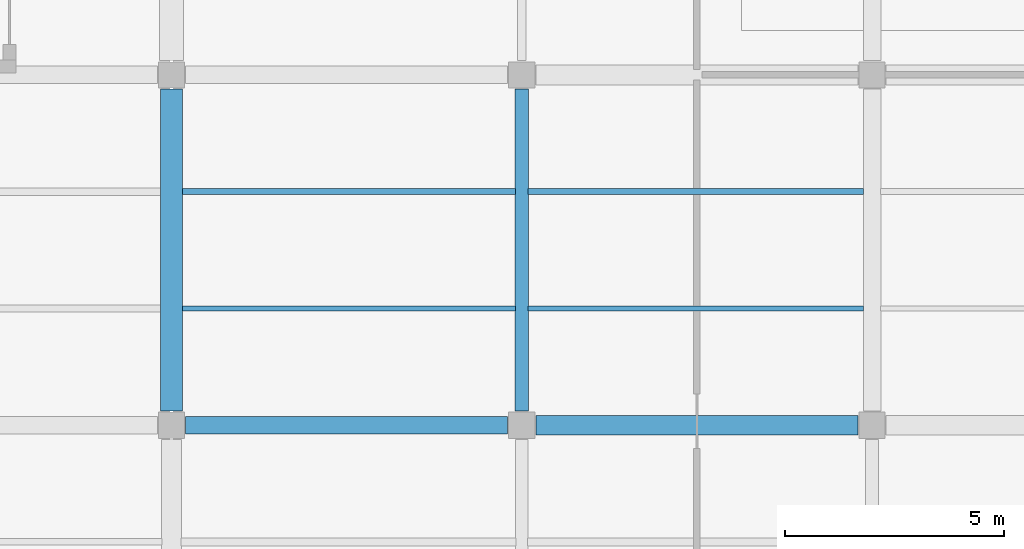
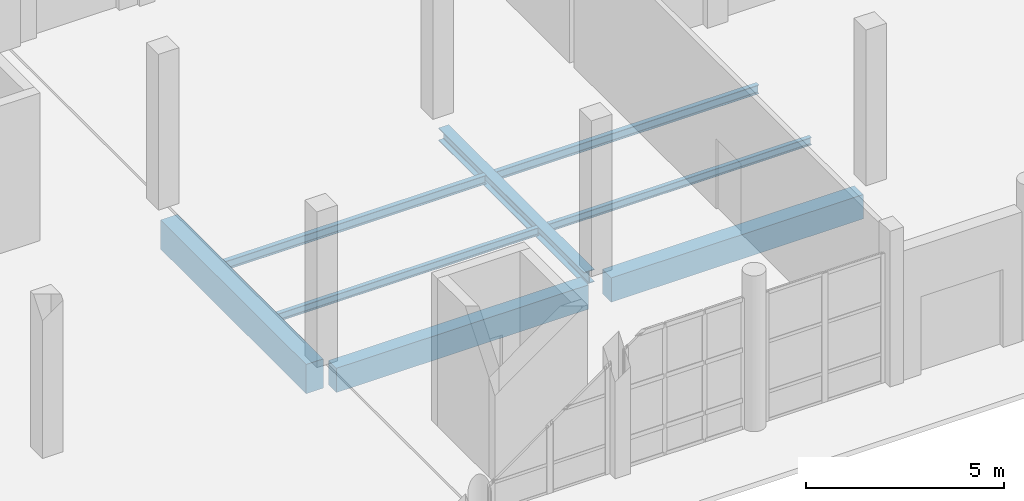
# One storey, part 60 of 156: 8 beams.
"""IFC4 building model written with IfcOpenShell, lengths in metres."""

from ifc_helpers import new_model, si_unit, direction, frame, origin, origin_2d, place, context, subcontext, project, spatial, rectangle, i_section, extrude, material, material_profile, profile_set, type_object, element, save


model = new_model("IFC4")

# Units and contexts
model_context = context("Model", 3, precision=1e-05, world=origin(), true_north=direction((0.0, 1.0)))
body_context = subcontext(model_context, "Body", "Model", "MODEL_VIEW")
ifc_project = project(units=[si_unit("LENGTHUNIT", "METRE"), si_unit("AREAUNIT", "SQUARE_METRE"), si_unit("VOLUMEUNIT", "CUBIC_METRE"), si_unit("PLANEANGLEUNIT", "RADIAN"), si_unit("MASSUNIT", "GRAM", prefix="KILO")], contexts=[model_context])

# Site, building, storey
site_placement = place(None, origin())
site = spatial("IfcSite", under=ifc_project, at=site_placement, CompositionType="ELEMENT")
building_placement = place(site_placement, origin())
building = spatial("IfcBuilding", under=site, at=building_placement, Name="Luwemba Playhouse", CompositionType="ELEMENT")
storey_placement = place(building_placement, origin())
storey = spatial("IfcBuildingStorey", under=building, at=storey_placement, Name="L00", CompositionType="ELEMENT", Elevation=0.0)

# Beams
ifc_material_1 = material(Name="Concrete C40/50", Category="concrete")
ifc_material_profile_1 = material_profile(ifc_material_1, rectangle(XDim=0.39990234375, YDim=0.75, at=origin_2d()))
ifc_profile_set_1 = profile_set([ifc_material_profile_1], Name="Concrete C40/50")
beam_type_1 = type_object("IfcBeamType", Name="BM-RB03", PredefinedType="BEAM", material=ifc_profile_set_1)
beam_1_placement = place(storey_placement, frame((132.324951171875, 11.0, -0.675048828125), z_axis=(1.0, 0.0, 0.0), x_axis=(0.0, 1.0, 0.0)))
element("IfcBeam", 1, at=beam_1_placement, inside=storey, type_object=beam_type_1, Name="L00 grid girder 0211", PredefinedType="BEAM", context=body_context, shape_type="SweptSolid", body=[
    extrude(rectangle(XDim=0.39990234375, YDim=0.75, at=origin_2d()), origin(), (0.0, 0.0, 1.0), 7.35009765625),
])
ifc_material_profile_2 = material_profile(ifc_material_1, rectangle(XDim=0.449951171875, YDim=0.75, at=origin_2d()))
ifc_profile_set_2 = profile_set([ifc_material_profile_2], Name="Concrete C40/50")
beam_type_2 = type_object("IfcBeamType", Name="BM-RB04", PredefinedType="BEAM", material=ifc_profile_set_2)
beam_2_placement = place(storey_placement, frame((140.324951171875, 11.0, -0.675048828125), z_axis=(1.0, 0.0, 0.0), x_axis=(0.0, 1.0, 0.0)))
element("IfcBeam", 2, at=beam_2_placement, inside=storey, type_object=beam_type_2, Name="L00 grid girder 0212", PredefinedType="BEAM", context=body_context, shape_type="SweptSolid", body=[
    extrude(rectangle(XDim=0.449951171875, YDim=0.75, at=origin_2d()), origin(), (0.0, 0.0, 1.0), 7.35009765625),
])
ifc_material_profile_3 = material_profile(ifc_material_1, rectangle(XDim=0.5, YDim=0.89990234375, at=origin_2d()))
ifc_profile_set_3 = profile_set([ifc_material_profile_3], Name="Concrete C40/50")
beam_type_3 = type_object("IfcBeamType", Name="BM-RB07", PredefinedType="BEAM", material=ifc_profile_set_3)
beam_3_placement = place(storey_placement, frame((132.0, 11.324951171875, -0.75), z_axis=(0.0, 1.0, 0.0), x_axis=(-1.0, 0.0, 0.0)))
element("IfcBeam", 3, at=beam_3_placement, inside=storey, type_object=beam_type_3, Name="L00 transverse girder 0237", PredefinedType="BEAM", context=body_context, shape_type="SweptSolid", body=[
    extrude(rectangle(XDim=0.5, YDim=0.89990234375, at=origin_2d()), origin(), (0.0, 0.0, 1.0), 7.35009765625),
])
ifc_material_2 = material(Name="Steel S355", Category="steel")
ifc_material_profile_4 = material_profile(ifc_material_2, i_section(OverallWidth=0.300048828125, OverallDepth=0.389892578125, WebThickness=0.010986328125, FlangeThickness=0.01904296875, FilletRadius=0.027099609375, at=origin_2d()))
ifc_profile_set_4 = profile_set([ifc_material_profile_4], Name="Steel S355")
beam_type_4 = type_object("IfcBeamType", Name="BM-SB05", PredefinedType="BEAM", material=ifc_profile_set_4)
beam_4_placement = place(storey_placement, frame((140.0, 11.324951171875, -0.4951171875), z_axis=(0.0, 1.0, 0.0), x_axis=(-1.0, 0.0, 0.0)))
element("IfcBeam", 4, at=beam_4_placement, inside=storey, type_object=beam_type_4, Name="L00 transverse girder 0240", PredefinedType="BEAM", context=body_context, shape_type="SweptSolid", body=[
    extrude(i_section(OverallWidth=0.300048828125, OverallDepth=0.389892578125, WebThickness=0.010986328125, FlangeThickness=0.01904296875, FilletRadius=0.027099609375, at=origin_2d()), origin(), (0.0, 0.0, 1.0), 7.35009765625),
])
ifc_material_profile_5 = material_profile(ifc_material_2, i_section(OverallWidth=0.1201171875, OverallDepth=0.239990234375, WebThickness=0.006103515625, FlangeThickness=0.009765625, FilletRadius=0.014892578125, at=origin_2d()))
ifc_profile_set_5 = profile_set([ifc_material_profile_5], Name="Steel S355")
beam_type_5 = type_object("IfcBeamType", Name="BM-SJ03", PredefinedType="JOIST", material=ifc_profile_set_5)
beam_5_placement = place(storey_placement, frame((132.24609375, 13.666748046875, -0.419921875), z_axis=(1.0, 0.0, 0.0), x_axis=(0.0, 1.0, 0.0)))
element("IfcBeam", 5, at=beam_5_placement, inside=storey, type_object=beam_type_5, Name="L00 composite floor joist 0167", PredefinedType="JOIST", context=body_context, shape_type="SweptSolid", body=[
    extrude(i_section(OverallWidth=0.1201171875, OverallDepth=0.239990234375, WebThickness=0.006103515625, FlangeThickness=0.009765625, FilletRadius=0.014892578125, at=origin_2d()), origin(), (0.0, 0.0, 1.0), 7.60791015625),
])
beam_6_placement = place(storey_placement, frame((140.14599609375, 13.666748046875, -0.419921875), z_axis=(1.0, 0.0, 0.0), x_axis=(0.0, 1.0, 0.0)))
element("IfcBeam", 6, at=beam_6_placement, inside=storey, type_object=beam_type_5, Name="L00 composite floor joist 0173", PredefinedType="JOIST", context=body_context, shape_type="SweptSolid", body=[
    extrude(i_section(OverallWidth=0.1201171875, OverallDepth=0.239990234375, WebThickness=0.006103515625, FlangeThickness=0.009765625, FilletRadius=0.014892578125, at=origin_2d()), origin(), (0.0, 0.0, 1.0), 7.657958984375),
])
ifc_material_profile_6 = material_profile(ifc_material_2, i_section(OverallWidth=0.135009765625, OverallDepth=0.27001953125, WebThickness=0.006591796875, FlangeThickness=0.01025390625, FilletRadius=0.014892578125, at=origin_2d()))
ifc_profile_set_6 = profile_set([ifc_material_profile_6], Name="Steel S355")
beam_type_6 = type_object("IfcBeamType", Name="BM-SJ04", PredefinedType="JOIST", material=ifc_profile_set_6)
beam_7_placement = place(storey_placement, frame((132.24609375, 16.333251953125, -0.43505859375), z_axis=(1.0, 0.0, 0.0), x_axis=(0.0, 1.0, 0.0)))
element("IfcBeam", 7, at=beam_7_placement, inside=storey, type_object=beam_type_6, Name="L00 composite floor joist 0168", PredefinedType="JOIST", context=body_context, shape_type="SweptSolid", body=[
    extrude(i_section(OverallWidth=0.135009765625, OverallDepth=0.27001953125, WebThickness=0.006591796875, FlangeThickness=0.01025390625, FilletRadius=0.014892578125, at=origin_2d()), origin(), (0.0, 0.0, 1.0), 7.60791015625),
])
beam_8_placement = place(storey_placement, frame((140.14599609375, 16.333251953125, -0.43505859375), z_axis=(1.0, 0.0, 0.0), x_axis=(0.0, 1.0, 0.0)))
element("IfcBeam", 8, at=beam_8_placement, inside=storey, type_object=beam_type_6, Name="L00 composite floor joist 0174", PredefinedType="JOIST", context=body_context, shape_type="SweptSolid", body=[
    extrude(i_section(OverallWidth=0.135009765625, OverallDepth=0.27001953125, WebThickness=0.006591796875, FlangeThickness=0.01025390625, FilletRadius=0.014892578125, at=origin_2d()), origin(), (0.0, 0.0, 1.0), 7.657958984375),
])

save(model, "model.ifc")
